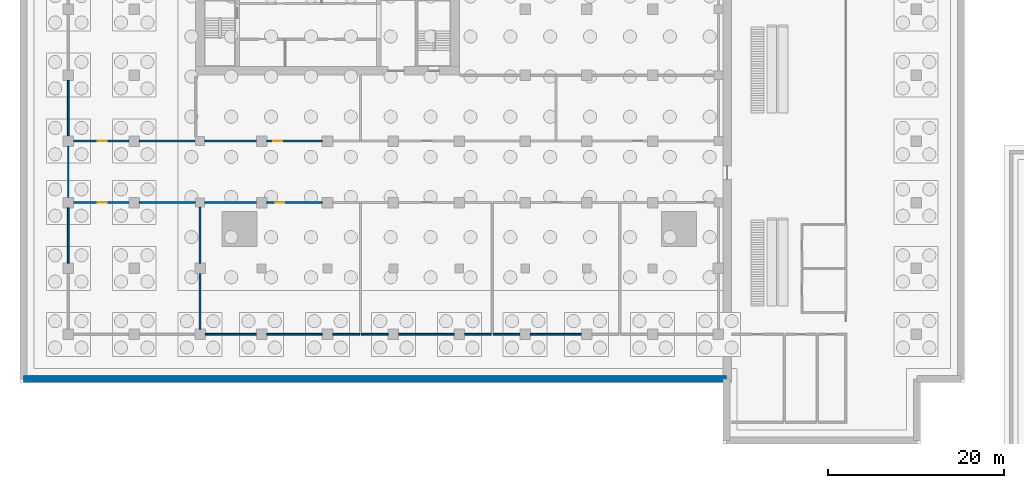
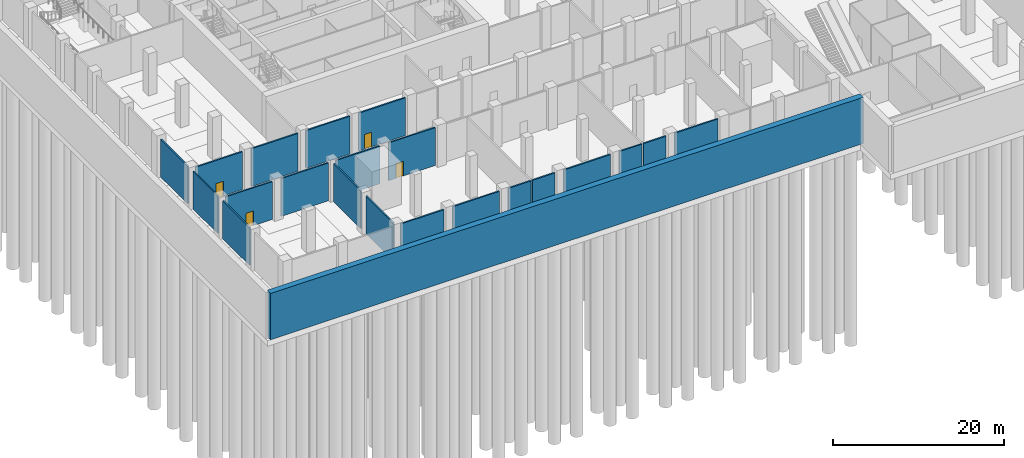
# One storey, part 6 of 39: 22 walls, 4 doors, 4 openings.
"""IFC4 building model written with IfcOpenShell, lengths in metres."""

from ifc_helpers import new_model, si_unit, direction, frame, frame_2d, origin, place, context, subcontext, project, spatial, rectangle, extrude, material, layer, layer_set, type_object, element, fill, save


model = new_model("IFC4")

# Units and contexts
model_context = context("Model", 3, precision=1e-05, world=origin(), true_north=direction((0.0, 1.0)))
body_context = subcontext(model_context, "Body", "Model", "MODEL_VIEW")
ifc_project = project(units=[si_unit("LENGTHUNIT", "METRE"), si_unit("AREAUNIT", "SQUARE_METRE"), si_unit("VOLUMEUNIT", "CUBIC_METRE"), si_unit("PLANEANGLEUNIT", "RADIAN"), si_unit("MASSUNIT", "GRAM", prefix="KILO")], contexts=[model_context])

# Site, building, storey
site_placement = place(None, origin())
site = spatial("IfcSite", under=ifc_project, at=site_placement, CompositionType="ELEMENT")
building_placement = place(site_placement, origin())
building = spatial("IfcBuilding", under=site, at=building_placement, Name="Tamorin Gate", CompositionType="ELEMENT")
storey_placement = place(building_placement, frame((0.0, 0.0, -12.0)))
storey = spatial("IfcBuildingStorey", under=building, at=storey_placement, Name="B2", CompositionType="ELEMENT", Elevation=-12.0)

# Wall
ifc_material_1 = material(Name="Concrete masonry C20/25", Category="masonry")
ifc_layer_1 = layer(ifc_material_1, 0.14990234375)
ifc_layer_set_1 = layer_set([ifc_layer_1], Name="Partition 150")
wall_type_1 = type_object("IfcWallType", Name="Partition 150", PredefinedType="PARTITIONING", material=ifc_layer_set_1)
wall_1_placement = place(storey_placement, frame((15.5, 46.10009765625, 0.0), z_axis=(0.0, 0.0, 1.0), x_axis=(0.0, 1.0, 0.0)))
element("IfcWall", 1, at=wall_1_placement, inside=storey, type_object=wall_type_1, Name="Partition 150 B2", PredefinedType="PARTITIONING", context=body_context, shape_type="SweptSolid", body=[
    extrude(rectangle(XDim=5.7998046875, YDim=0.14990234375, at=frame_2d((2.89990234375, 0.0))), origin(), (0.0, 0.0, 1.0), 5.39990234375),
])

# Wall, opening, door
ifc_layer_2 = layer(ifc_material_1, 0.199951171875)
ifc_layer_set_2 = layer_set([ifc_layer_2], Name="Plant room wall 200")
wall_type_2 = type_object("IfcWallType", Name="Plant room wall 200", PredefinedType="PARTITIONING", material=ifc_layer_set_2)
wall_2_placement = place(storey_placement, frame((16.10009765625, 45.5, 0.0), z_axis=(0.0, 0.0, 1.0), x_axis=(1.0, 0.0, 0.0)))
wall_2 = element("IfcWall", 2, at=wall_2_placement, inside=storey, type_object=wall_type_2, Name="Plant room wall 200 B2", PredefinedType="PARTITIONING", context=body_context, shape_type="SweptSolid", body=[
    extrude(rectangle(XDim=6.2998046875, YDim=0.199951171875, at=frame_2d((3.14990234375, 0.0))), origin(), (0.0, 0.0, 1.0), 5.39990234375),
])
opening_1_placement = place(wall_2_placement, frame((2.75, 0.0, 0.0)))
opening_1 = element("IfcOpeningElement", 3, at=opening_1_placement, cuts=wall_2, Name="Opening DP2", PredefinedType="OPENING", context=body_context, shape_type="SweptSolid", body=[
    extrude(rectangle(XDim=1.0, YDim=2.10009765625, at=frame_2d((0.5, 1.050048828125))), frame((0.0, 0.10986328125, 0.0), z_axis=(0.0, -1.0, 0.0), x_axis=(1.0, 0.0, 0.0)), (0.0, 0.0, 1.0), 0.219970703125),
])
ifc_material_2 = material(Name="Painted steel", Category="steel")
door_type = type_object("IfcDoorType", Name="Door single 1000", OperationType="SINGLE_SWING_LEFT", PredefinedType="DOOR", material=ifc_material_2)
door_1_placement = place(opening_1_placement, origin())
door_1 = element("IfcDoor", 4, at=door_1_placement, inside=storey, type_object=door_type, Name="Door single 1000 B2", OperationType="SINGLE_SWING_LEFT", OverallHeight=2.10009765625, OverallWidth=1.0, PredefinedType="DOOR", context=body_context, shape_type="SweptSolid", body=[
    extrude(rectangle(XDim=1.0, YDim=2.10009765625, at=frame_2d((0.5, 1.050048828125))), frame((0.0, 0.02490234375, 0.0), z_axis=(0.0, -1.0, 0.0), x_axis=(1.0, 0.0, 0.0)), (0.0, 0.0, 1.0), 0.050048828125),
])
fill(opening_1, door_1)

# Walls
wall_3_placement = place(storey_placement, frame((23.60009765625, 45.5, 0.0), z_axis=(0.0, 0.0, 1.0), x_axis=(1.0, 0.0, 0.0)))
element("IfcWall", 5, at=wall_3_placement, inside=storey, type_object=wall_type_2, Name="Plant room wall 200 B2", PredefinedType="PARTITIONING", context=body_context, shape_type="SweptSolid", body=[
    extrude(rectangle(XDim=6.39990234375, YDim=0.199951171875, at=frame_2d((3.199951171875, 0.0))), origin(), (0.0, 0.0, 1.0), 5.39990234375),
])
wall_4_placement = place(storey_placement, frame((31.0, 45.5, 0.0), z_axis=(0.0, 0.0, 1.0), x_axis=(1.0, 0.0, 0.0)))
element("IfcWall", 6, at=wall_4_placement, inside=storey, type_object=wall_type_2, Name="Plant room wall 200 B2", PredefinedType="PARTITIONING", context=body_context, shape_type="SweptSolid", body=[
    extrude(rectangle(XDim=5.89990234375, YDim=0.199951171875, at=frame_2d((2.949951171875, 0.0))), origin(), (0.0, 0.0, 1.0), 5.39990234375),
])

# Wall, opening, door
wall_5_placement = place(storey_placement, frame((38.10009765625, 45.5, 0.0), z_axis=(0.0, 0.0, 1.0), x_axis=(1.0, 0.0, 0.0)))
wall_5 = element("IfcWall", 7, at=wall_5_placement, inside=storey, type_object=wall_type_2, Name="Plant room wall 200 B2", PredefinedType="PARTITIONING", context=body_context, shape_type="SweptSolid", body=[
    extrude(rectangle(XDim=6.2998046875, YDim=0.199951171875, at=frame_2d((3.14990234375, 0.0))), origin(), (0.0, 0.0, 1.0), 5.39990234375),
])
opening_2_placement = place(wall_5_placement, frame((1.0, 0.0, 0.0)))
opening_2 = element("IfcOpeningElement", 8, at=opening_2_placement, cuts=wall_5, Name="Opening DP2", PredefinedType="OPENING", context=body_context, shape_type="SweptSolid", body=[
    extrude(rectangle(XDim=1.0, YDim=2.10009765625, at=frame_2d((0.5, 1.050048828125))), frame((0.0, 0.10986328125, 0.0), z_axis=(0.0, -1.0, 0.0), x_axis=(1.0, 0.0, 0.0)), (0.0, 0.0, 1.0), 0.219970703125),
])
door_2_placement = place(opening_2_placement, origin())
door_2 = element("IfcDoor", 9, at=door_2_placement, inside=storey, type_object=door_type, Name="Door single 1000 B2", OperationType="SINGLE_SWING_LEFT", OverallHeight=2.10009765625, OverallWidth=1.0, PredefinedType="DOOR", context=body_context, shape_type="SweptSolid", body=[
    extrude(rectangle(XDim=1.0, YDim=2.10009765625, at=frame_2d((0.5, 1.050048828125))), frame((0.0, 0.02490234375, 0.0), z_axis=(0.0, -1.0, 0.0), x_axis=(1.0, 0.0, 0.0)), (0.0, 0.0, 1.0), 0.050048828125),
])
fill(opening_2, door_2)

wall_6_placement = place(storey_placement, frame((22.39990234375, 52.5, 0.0), z_axis=(0.0, 0.0, 1.0), x_axis=(-1.0, 0.0, 0.0)))
wall_6 = element("IfcWall", 10, at=wall_6_placement, inside=storey, type_object=wall_type_2, Name="Plant room wall 200 B2", PredefinedType="PARTITIONING", context=body_context, shape_type="SweptSolid", body=[
    extrude(rectangle(XDim=6.2998046875, YDim=0.199951171875, at=frame_2d((3.14990234375, 0.0))), origin(), (0.0, 0.0, 1.0), 5.39990234375),
])
opening_3_placement = place(wall_6_placement, frame((2.550048828125, 0.0, 0.0)))
opening_3 = element("IfcOpeningElement", 11, at=opening_3_placement, cuts=wall_6, Name="Opening DP2", PredefinedType="OPENING", context=body_context, shape_type="SweptSolid", body=[
    extrude(rectangle(XDim=1.0, YDim=2.10009765625, at=frame_2d((0.5, 1.050048828125))), frame((0.0, 0.10986328125, 0.0), z_axis=(0.0, -1.0, 0.0), x_axis=(1.0, 0.0, 0.0)), (0.0, 0.0, 1.0), 0.219970703125),
])
door_3_placement = place(opening_3_placement, origin())
door_3 = element("IfcDoor", 12, at=door_3_placement, inside=storey, type_object=door_type, Name="Door single 1000 B2", OperationType="SINGLE_SWING_LEFT", OverallHeight=2.10009765625, OverallWidth=1.0, PredefinedType="DOOR", context=body_context, shape_type="SweptSolid", body=[
    extrude(rectangle(XDim=1.0, YDim=2.10009765625, at=frame_2d((0.5, 1.050048828125))), frame((0.0, 0.02490234375, 0.0), z_axis=(0.0, -1.0, 0.0), x_axis=(1.0, 0.0, 0.0)), (0.0, 0.0, 1.0), 0.050048828125),
])
fill(opening_3, door_3)

# Walls
wall_7_placement = place(storey_placement, frame((23.60009765625, 52.5, 0.0), z_axis=(0.0, 0.0, 1.0), x_axis=(1.0, 0.0, 0.0)))
element("IfcWall", 13, at=wall_7_placement, inside=storey, type_object=wall_type_2, Name="Plant room wall 200 B2", PredefinedType="PARTITIONING", context=body_context, shape_type="SweptSolid", body=[
    extrude(rectangle(XDim=6.2998046875, YDim=0.199951171875, at=frame_2d((3.14990234375, 0.0))), origin(), (0.0, 0.0, 1.0), 5.39990234375),
])
wall_8_placement = place(storey_placement, frame((31.0, 52.5, 0.0), z_axis=(0.0, 0.0, 1.0), x_axis=(1.0, 0.0, 0.0)))
element("IfcWall", 14, at=wall_8_placement, inside=storey, type_object=wall_type_2, Name="Plant room wall 200 B2", PredefinedType="PARTITIONING", context=body_context, shape_type="SweptSolid", body=[
    extrude(rectangle(XDim=5.89990234375, YDim=0.199951171875, at=frame_2d((2.949951171875, 0.0))), origin(), (0.0, 0.0, 1.0), 5.39990234375),
])

# Wall, opening, door
wall_9_placement = place(storey_placement, frame((44.39990234375, 52.5, 0.0), z_axis=(0.0, 0.0, 1.0), x_axis=(-1.0, 0.0, 0.0)))
wall_9 = element("IfcWall", 15, at=wall_9_placement, inside=storey, type_object=wall_type_2, Name="Plant room wall 200 B2", PredefinedType="PARTITIONING", context=body_context, shape_type="SweptSolid", body=[
    extrude(rectangle(XDim=6.2998046875, YDim=0.199951171875, at=frame_2d((3.14990234375, 0.0))), origin(), (0.0, 0.0, 1.0), 5.39990234375),
])
opening_4_placement = place(wall_9_placement, frame((4.550048828125, 0.0, 0.0)))
opening_4 = element("IfcOpeningElement", 16, at=opening_4_placement, cuts=wall_9, Name="Opening DP2", PredefinedType="OPENING", context=body_context, shape_type="SweptSolid", body=[
    extrude(rectangle(XDim=1.0, YDim=2.10009765625, at=frame_2d((0.5, 1.050048828125))), frame((0.0, 0.10986328125, 0.0), z_axis=(0.0, -1.0, 0.0), x_axis=(1.0, 0.0, 0.0)), (0.0, 0.0, 1.0), 0.219970703125),
])
door_4_placement = place(opening_4_placement, origin())
door_4 = element("IfcDoor", 17, at=door_4_placement, inside=storey, type_object=door_type, Name="Door single 1000 B2", OperationType="SINGLE_SWING_LEFT", OverallHeight=2.10009765625, OverallWidth=1.0, PredefinedType="DOOR", context=body_context, shape_type="SweptSolid", body=[
    extrude(rectangle(XDim=1.0, YDim=2.10009765625, at=frame_2d((0.5, 1.050048828125))), frame((0.0, 0.02490234375, 0.0), z_axis=(0.0, -1.0, 0.0), x_axis=(1.0, 0.0, 0.0)), (0.0, 0.0, 1.0), 0.050048828125),
])
fill(opening_4, door_4)

# Walls
wall_10_placement = place(storey_placement, frame((31.10009765625, 30.5, 0.0), z_axis=(0.0, 0.0, 1.0), x_axis=(1.0, 0.0, 0.0)))
element("IfcWall", 18, at=wall_10_placement, inside=storey, type_object=wall_type_2, Name="Plant room wall 200 B2", PredefinedType="PARTITIONING", context=body_context, shape_type="SweptSolid", body=[
    extrude(rectangle(XDim=5.7998046875, YDim=0.199951171875, at=frame_2d((2.89990234375, 0.0))), origin(), (0.0, 0.0, 1.0), 5.39990234375),
])
wall_11_placement = place(storey_placement, frame((38.10009765625, 30.5, 0.0), z_axis=(0.0, 0.0, 1.0), x_axis=(1.0, 0.0, 0.0)))
element("IfcWall", 19, at=wall_11_placement, inside=storey, type_object=wall_type_2, Name="Plant room wall 200 B2", PredefinedType="PARTITIONING", context=body_context, shape_type="SweptSolid", body=[
    extrude(rectangle(XDim=6.2998046875, YDim=0.199951171875, at=frame_2d((3.14990234375, 0.0))), origin(), (0.0, 0.0, 1.0), 5.39990234375),
])
for number, where, z_axis, x_axis, name in (
    (20, (45.60009765625, 30.5, 0.0), (0.0, 0.0, 1.0), (1.0, 0.0, 0.0), "Plant room wall 200 B2"),
    (21, (48.85009765625, 30.5, 0.0), (0.0, 0.0, 1.0), (1.0, 0.0, 0.0), "Plant room wall 200 B2"),
):
    element("IfcWall", number, at=place(storey_placement, frame(where, z_axis=z_axis, x_axis=x_axis)), inside=storey, type_object=wall_type_2, Name=name, PredefinedType="PARTITIONING", context=body_context, shape_type="SweptSolid", body=[
        extrude(rectangle(XDim=3.0498046875, YDim=0.199951171875, at=frame_2d((1.52490234375, 0.0))), origin(), (0.0, 0.0, 1.0), 5.39990234375),
    ])
wall_12_placement = place(storey_placement, frame((53.10009765625, 30.5, 0.0), z_axis=(0.0, 0.0, 1.0), x_axis=(1.0, 0.0, 0.0)))
element("IfcWall", 22, at=wall_12_placement, inside=storey, type_object=wall_type_2, Name="Plant room wall 200 B2", PredefinedType="PARTITIONING", context=body_context, shape_type="SweptSolid", body=[
    extrude(rectangle(XDim=6.2998046875, YDim=0.199951171875, at=frame_2d((3.14990234375, 0.0))), origin(), (0.0, 0.0, 1.0), 5.39990234375),
])
for number, where, z_axis, x_axis, name in (
    (23, (60.60009765625, 30.5, 0.0), (0.0, 0.0, 1.0), (1.0, 0.0, 0.0), "Plant room wall 200 B2"),
    (24, (63.85009765625, 30.5, 0.0), (0.0, 0.0, 1.0), (1.0, 0.0, 0.0), "Plant room wall 200 B2"),
):
    element("IfcWall", number, at=place(storey_placement, frame(where, z_axis=z_axis, x_axis=x_axis)), inside=storey, type_object=wall_type_2, Name=name, PredefinedType="PARTITIONING", context=body_context, shape_type="SweptSolid", body=[
        extrude(rectangle(XDim=3.0498046875, YDim=0.199951171875, at=frame_2d((1.52490234375, 0.0))), origin(), (0.0, 0.0, 1.0), 5.39990234375),
    ])
wall_13_placement = place(storey_placement, frame((68.10009765625, 30.5, 0.0), z_axis=(0.0, 0.0, 1.0), x_axis=(1.0, 0.0, 0.0)))
element("IfcWall", 25, at=wall_13_placement, inside=storey, type_object=wall_type_2, Name="Plant room wall 200 B2", PredefinedType="PARTITIONING", context=body_context, shape_type="SweptSolid", body=[
    extrude(rectangle(XDim=5.7998046875, YDim=0.199951171875, at=frame_2d((2.89990234375, 0.0))), origin(), (0.0, 0.0, 1.0), 5.39990234375),
])
for number, where, z_axis, x_axis, name in (
    (26, (15.5, 38.60009765625, 0.0), (0.0, 0.0, 1.0), (0.0, 1.0, 0.0), "Plant room wall 200 B2"),
    (27, (15.5, 53.10009765625, 0.0), (0.0, 0.0, 1.0), (0.0, 1.0, 0.0), "Plant room wall 200 B2"),
    (28, (30.5, 31.10009765625, 0.0), (0.0, 0.0, 1.0), (0.0, 1.0, 0.0), "Plant room wall 200 B2"),
):
    element("IfcWall", number, at=place(storey_placement, frame(where, z_axis=z_axis, x_axis=x_axis)), inside=storey, type_object=wall_type_2, Name=name, PredefinedType="PARTITIONING", context=body_context, shape_type="SweptSolid", body=[
        extrude(rectangle(XDim=6.2998046875, YDim=0.199951171875, at=frame_2d((3.14990234375, 0.0))), origin(), (0.0, 0.0, 1.0), 5.39990234375),
    ])
wall_14_placement = place(storey_placement, frame((30.5, 38.60009765625, 0.0), z_axis=(0.0, 0.0, 1.0), x_axis=(0.0, 1.0, 0.0)))
element("IfcWall", 29, at=wall_14_placement, inside=storey, type_object=wall_type_2, Name="Plant room wall 200 B2", PredefinedType="PARTITIONING", context=body_context, shape_type="SweptSolid", body=[
    extrude(rectangle(XDim=6.39990234375, YDim=0.199951171875, at=frame_2d((3.199951171875, 0.0))), origin(), (0.0, 0.0, 1.0), 5.39990234375),
])
ifc_material_3 = material(Name="Concrete C40/50", Category="concrete")
ifc_layer_3 = layer(ifc_material_3, 0.800048828125)
ifc_layer_set_3 = layer_set([ifc_layer_3], Name="RC basement wall 800 C40/50")
wall_type_3 = type_object("IfcWallType", Name="RC basement wall 800 C40/50", PredefinedType="SHEAR", material=ifc_layer_set_3)
wall_15_placement = place(storey_placement, frame((90.39990234375, 25.39990234375, -0.60009765625), z_axis=(0.0, 0.0, 1.0), x_axis=(-1.0, 0.0, 0.0)))
element("IfcWall", 30, at=wall_15_placement, inside=storey, type_object=wall_type_3, Name="Basement wall B2", PredefinedType="SHEAR", context=body_context, shape_type="SweptSolid", body=[
    extrude(rectangle(XDim=80.0, YDim=0.800048828125, at=frame_2d((40.0, 0.0))), origin(), (0.0, 0.0, 1.0), 6.60009765625),
])

save(model, "model.ifc")
